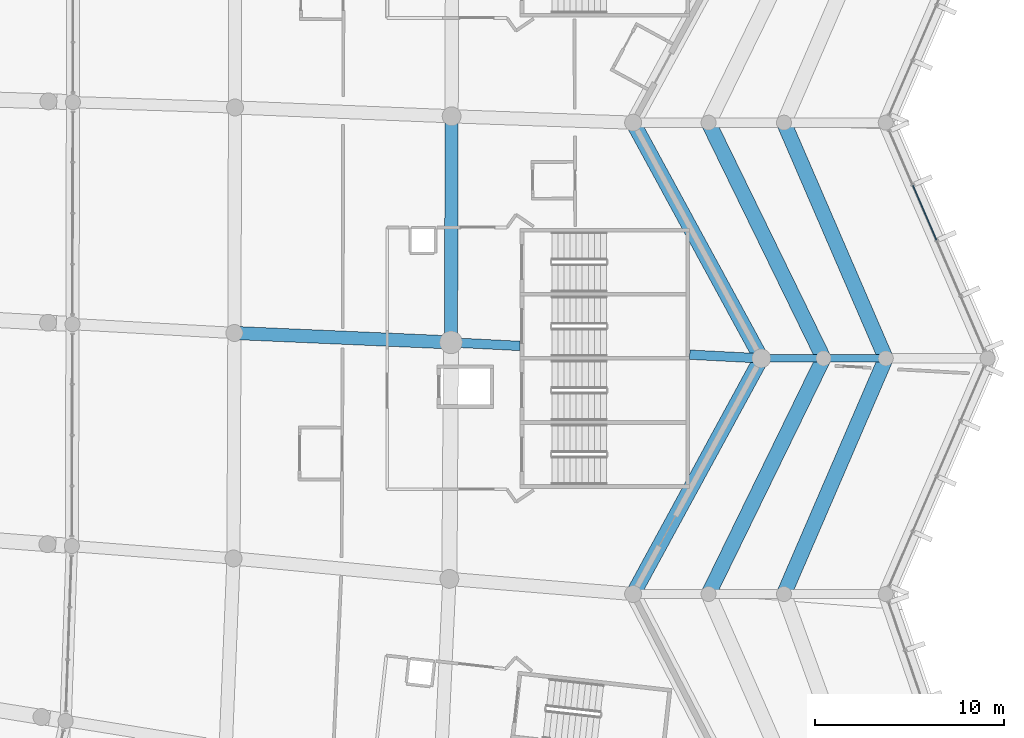
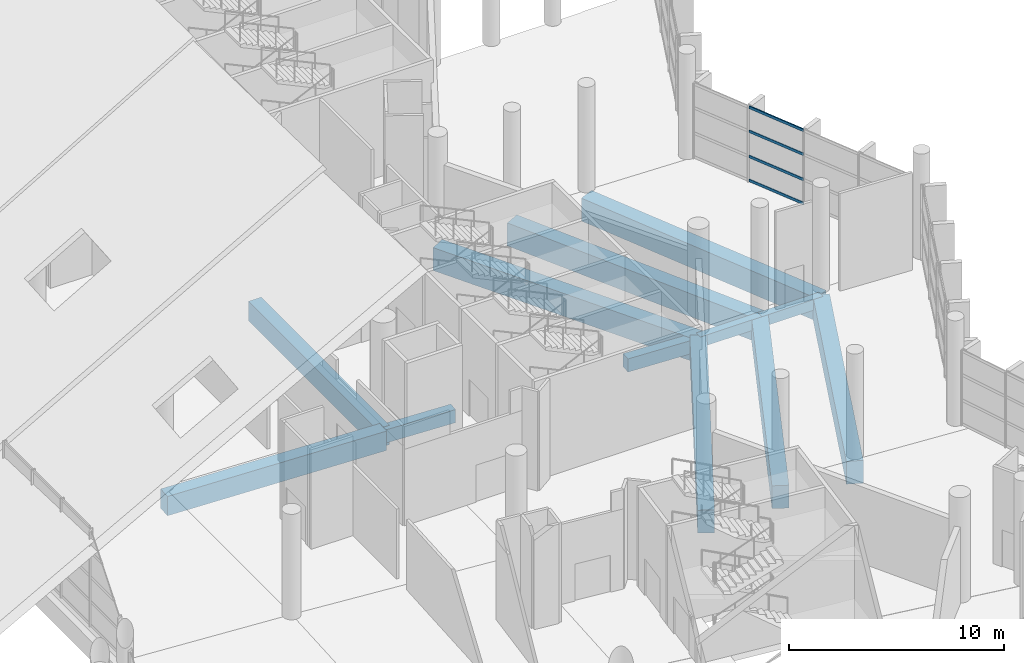
# One storey, part 46 of 249: 12 beams, 4 members, 1 element without a shape of its own.
"""IFC4 building model written with IfcOpenShell, lengths in metres."""

from ifc_helpers import new_model, si_unit, direction, frame, origin, origin_2d, place, context, subcontext, project, spatial, rectangle, extrude, material, layer, layer_set, material_profile, profile_set, type_object, element, aggregate, save


model = new_model("IFC4")

# Units and contexts
model_context = context("Model", 3, precision=1e-05, world=origin(), true_north=direction((0.0, 1.0)))
body_context = subcontext(model_context, "Body", "Model", "MODEL_VIEW")
ifc_project = project(units=[si_unit("LENGTHUNIT", "METRE"), si_unit("AREAUNIT", "SQUARE_METRE"), si_unit("VOLUMEUNIT", "CUBIC_METRE"), si_unit("PLANEANGLEUNIT", "RADIAN"), si_unit("MASSUNIT", "GRAM", prefix="KILO")], contexts=[model_context])

# Site, building, storey
site_placement = place(None, origin())
site = spatial("IfcSite", under=ifc_project, at=site_placement, CompositionType="ELEMENT")
building_placement = place(site_placement, origin())
building = spatial("IfcBuilding", under=site, at=building_placement, Name="Meseta Stadium", CompositionType="ELEMENT")
storey_placement = place(building_placement, frame((0.0, 0.0, 12.0)))
storey = spatial("IfcBuildingStorey", under=building, at=storey_placement, Name="L02", CompositionType="ELEMENT", Elevation=12.0)

# Beams
ifc_material_1 = material(Name="Concrete C40/50", Category="concrete")
ifc_material_profile_1 = material_profile(ifc_material_1, rectangle(XDim=0.39990234375, YDim=0.60009765625, at=origin_2d()), Name="RC 400x600")
ifc_profile_set_1 = profile_set([ifc_material_profile_1], Name="Concrete C40/50")
beam_type_1 = type_object("IfcBeamType", Name="RC beam 400x600", PredefinedType="BEAM", material=ifc_profile_set_1)
for number, where, z_axis, x_axis, name in (
    (1, (101.39990234375, -31.25, -0.64990234375), (1.0, 0.0, 0.0), (0.0, 1.0, 0.0), "L02 radial beam frame 2 line R to M"),
    (2, (104.699951171875, -31.25, -0.64990234375), (1.0, 0.0, 0.0), (0.0, 1.0, 0.0), "L02 radial beam frame 2 line M to Q"),
):
    element("IfcBeam", number, at=place(storey_placement, frame(where, z_axis=z_axis, x_axis=x_axis)), inside=storey, type_object=beam_type_1, Name=name, PredefinedType="BEAM", context=body_context, shape_type="SweptSolid", body=[
        extrude(rectangle(XDim=0.39990234375, YDim=0.60009765625, at=origin_2d()), origin(), (0.0, 0.0, 1.0), 3.300048828125),
    ])
ifc_material_2 = material(Name="Concrete C40/50", Category="concrete")
ifc_material_profile_2 = material_profile(ifc_material_2, rectangle(XDim=0.5, YDim=0.75, at=origin_2d()), Name="RC 500x750")
ifc_profile_set_2 = profile_set([ifc_material_profile_2], Name="Concrete C40/50")
beam_type_2 = type_object("IfcBeamType", Name="RC beam 500x750", PredefinedType="BEAM", material=ifc_profile_set_2)
beam_1_placement = place(storey_placement, frame((84.940673828125, -30.404052734375, -0.72509765625), z_axis=(0.998683115753, -0.051303355736, 0.0), x_axis=(0.051303355736, 0.998683115753, 0.0)))
element("IfcBeam", 3, at=beam_1_placement, inside=storey, type_object=beam_type_2, Name="L02 radial beam frame 2 line P to R", PredefinedType="BEAM", context=body_context, shape_type="SweptSolid", body=[
    extrude(rectangle(XDim=0.5, YDim=0.75, at=origin_2d()), origin(), (0.0, 0.0, 1.0), 3.664306640625),
])
beam_2_placement = place(storey_placement, frame((97.60009765625, -31.0546875, -0.72509765625), z_axis=(0.998681597522, -0.05133290144, 0.0), x_axis=(0.05133290144, 0.998681597522, 0.0)))
element("IfcBeam", 4, at=beam_2_placement, inside=storey, type_object=beam_type_2, Name="L02 radial beam frame 2 line P to R", PredefinedType="BEAM", context=body_context, shape_type="SweptSolid", body=[
    extrude(rectangle(XDim=0.5, YDim=0.75, at=origin_2d()), origin(), (0.0, 0.0, 1.0), 3.804931640625),
])
ifc_material_3 = material(Name="Concrete C40/50", Category="concrete")
ifc_material_profile_3 = material_profile(ifc_material_3, rectangle(XDim=0.699951171875, YDim=1.10009765625, at=origin_2d()), Name="RC 700x1100")
ifc_profile_set_3 = profile_set([ifc_material_profile_3], Name="Concrete C40/50")
beam_type_3 = type_object("IfcBeamType", Name="RC beam 700x1100", PredefinedType="BEAM", material=ifc_profile_set_3)
beam_3_placement = place(storey_placement, frame((84.940673828125, -30.404052734375, -0.89990234375), z_axis=(0.002707369213, 0.999996335069, 0.0), x_axis=(-0.999996335069, 0.002707369213, 0.0)))
element("IfcBeam", 5, at=beam_3_placement, inside=storey, type_object=beam_type_3, Name="L02 ring beam frame 2 line P", PredefinedType="BEAM", context=body_context, shape_type="SweptSolid", body=[
    extrude(rectangle(XDim=0.699951171875, YDim=1.10009765625, at=origin_2d()), origin(), (0.0, 0.0, 1.0), 11.993408203125),
])
beam_4_placement = place(storey_placement, frame((73.451416015625, -29.904052734375, -0.89990234375), z_axis=(0.999054395094, -0.04347776033, 0.0), x_axis=(0.04347776033, 0.999054395094, 0.0)))
element("IfcBeam", 6, at=beam_4_placement, inside=storey, type_object=beam_type_3, Name="L02 radial beam frame 2 line E to P", PredefinedType="BEAM", context=body_context, shape_type="SweptSolid", body=[
    extrude(rectangle(XDim=0.699951171875, YDim=1.10009765625, at=origin_2d()), origin(), (0.0, 0.0, 1.0), 11.500244140625),
])
ifc_material_4 = material(Name="Concrete C40/50", Category="concrete")
ifc_material_profile_4 = material_profile(ifc_material_4, rectangle(XDim=0.800048828125, YDim=1.300048828125, at=origin_2d()), Name="RC 800x1300")
ifc_profile_set_4 = profile_set([ifc_material_profile_4], Name="Concrete C40/50")
beam_type_4 = type_object("IfcBeamType", Name="RC beam 800x1300", PredefinedType="BEAM", material=ifc_profile_set_4)
for number, where, z_axis, x_axis, name in (
    (7, (94.60009765625, -43.75, -1.0), (0.47785649891, 0.878437912689, 0.0), (-0.878437912689, 0.47785649891, 0.0), "L02 ring beam frame 1 line R"),
    (8, (101.39990234375, -31.25, -1.0), (-0.47785649891, 0.878437912689, 0.0), (-0.878437912689, -0.47785649891, 0.0), "L02 ring beam frame 2 line R"),
):
    element("IfcBeam", number, at=place(storey_placement, frame(where, z_axis=z_axis, x_axis=x_axis)), inside=storey, type_object=beam_type_4, Name=name, PredefinedType="BEAM", context=body_context, shape_type="SweptSolid", body=[
        extrude(rectangle(XDim=0.800048828125, YDim=1.300048828125, at=origin_2d()), origin(), (0.0, 0.0, 1.0), 14.229736328125),
    ])
beam_5_placement = place(storey_placement, frame((98.60009765625, -43.75, -1.0), z_axis=(0.438556770405, 0.898703487882, 0.0), x_axis=(-0.898703487882, 0.438556770405, 0.0)))
element("IfcBeam", 9, at=beam_5_placement, inside=storey, type_object=beam_type_4, Name="L02 ring beam frame 1 line M", PredefinedType="BEAM", context=body_context, shape_type="SweptSolid", body=[
    extrude(rectangle(XDim=0.800048828125, YDim=1.300048828125, at=origin_2d()), origin(), (0.0, 0.0, 1.0), 13.908935546875),
])
beam_6_placement = place(storey_placement, frame((102.60009765625, -43.75, -1.0), z_axis=(0.396570645327, 0.918004206562, 0.0), x_axis=(-0.918004206562, 0.396570645327, 0.0)))
element("IfcBeam", 10, at=beam_6_placement, inside=storey, type_object=beam_type_4, Name="L02 ring beam frame 1 line Q", PredefinedType="BEAM", context=body_context, shape_type="SweptSolid", body=[
    extrude(rectangle(XDim=0.800048828125, YDim=1.300048828125, at=origin_2d()), origin(), (0.0, 0.0, 1.0), 13.616455078125),
])
beam_7_placement = place(storey_placement, frame((104.699951171875, -31.25, -1.0), z_axis=(-0.438556770405, 0.898703487882, 0.0), x_axis=(-0.898703487882, -0.438556770405, 0.0)))
element("IfcBeam", 11, at=beam_7_placement, inside=storey, type_object=beam_type_4, Name="L02 ring beam frame 2 line M", PredefinedType="BEAM", context=body_context, shape_type="SweptSolid", body=[
    extrude(rectangle(XDim=0.800048828125, YDim=1.300048828125, at=origin_2d()), origin(), (0.0, 0.0, 1.0), 13.908935546875),
])
beam_8_placement = place(storey_placement, frame((108.0, -31.25, -1.0), z_axis=(-0.396570645327, 0.918004206562, 0.0), x_axis=(-0.918004206562, -0.396570645327, 0.0)))
element("IfcBeam", 12, at=beam_8_placement, inside=storey, type_object=beam_type_4, Name="L02 ring beam frame 2 line Q", PredefinedType="BEAM", context=body_context, shape_type="SweptSolid", body=[
    extrude(rectangle(XDim=0.800048828125, YDim=1.300048828125, at=origin_2d()), origin(), (0.0, 0.0, 1.0), 13.616455078125),
])

# Curtain wall, members
ifc_material_5 = material(Name="Aluminium", Category="aluminium")
ifc_layer = layer(ifc_material_5, 0.199951171875)
ifc_layer_set = layer_set([ifc_layer], Name="Ring shopfront curtain wall")
curtain_wall_type = type_object("IfcCurtainWallType", Name="Ring shopfront curtain wall", PredefinedType="NOTDEFINED", material=ifc_layer_set)
curtain_wall_placement = place(storey_placement, origin())
curtain_wall = element("IfcCurtainWall", 13, at=curtain_wall_placement, inside=storey, type_object=curtain_wall_type, Name="Ring glazing L02 F02", PredefinedType="NOTDEFINED")
ifc_material_6 = material(Name="Aluminium", Category="aluminium")
ifc_material_profile_5 = material_profile(ifc_material_6, rectangle(XDim=0.06005859375, YDim=0.14990234375, at=origin_2d()), Name="CW 60x150")
ifc_profile_set_5 = profile_set([ifc_material_profile_5], Name="Aluminium")
member_type = type_object("IfcMemberType", Name="Ring CW transom 60x150", PredefinedType="USERDEFINED", material=ifc_profile_set_5)
member_1_placement = place(storey_placement, frame((110.68798828125, -24.972412109375, 0.074951171875), z_axis=(-0.396569883564, 0.918004535637, 0.0), x_axis=(-0.918004535637, -0.396569883564, 0.0)))
member_1 = element("IfcMember", 14, at=member_1_placement, type_object=member_type, Name="CWR1 transom 3.1", ObjectType="TRANSOM", PredefinedType="USERDEFINED", context=body_context, shape_type="SweptSolid", body=[
    extrude(rectangle(XDim=0.06005859375, YDim=0.14990234375, at=origin_2d()), origin(), (0.0, 0.0, 1.0), 3.14404296875),
])
member_2_placement = place(storey_placement, frame((110.68798828125, -24.972412109375, 1.433349609375), z_axis=(-0.396569883564, 0.918004535637, 0.0), x_axis=(-0.918004535637, -0.396569883564, 0.0)))
member_2 = element("IfcMember", 15, at=member_2_placement, type_object=member_type, Name="CWR1 transom 3.2", ObjectType="TRANSOM", PredefinedType="USERDEFINED", context=body_context, shape_type="SweptSolid", body=[
    extrude(rectangle(XDim=0.06005859375, YDim=0.14990234375, at=origin_2d()), origin(), (0.0, 0.0, 1.0), 3.14404296875),
])
member_3_placement = place(storey_placement, frame((110.68798828125, -24.972412109375, 2.86669921875), z_axis=(-0.396569883564, 0.918004535637, 0.0), x_axis=(-0.918004535637, -0.396569883564, 0.0)))
member_3 = element("IfcMember", 16, at=member_3_placement, type_object=member_type, Name="CWR1 transom 3.3", ObjectType="TRANSOM", PredefinedType="USERDEFINED", context=body_context, shape_type="SweptSolid", body=[
    extrude(rectangle(XDim=0.06005859375, YDim=0.14990234375, at=origin_2d()), origin(), (0.0, 0.0, 1.0), 3.14404296875),
])
member_4_placement = place(storey_placement, frame((110.68798828125, -24.972412109375, 4.22509765625), z_axis=(-0.396569883564, 0.918004535637, 0.0), x_axis=(-0.918004535637, -0.396569883564, 0.0)))
member_4 = element("IfcMember", 17, at=member_4_placement, type_object=member_type, Name="CWR1 transom 3.4", ObjectType="TRANSOM", PredefinedType="USERDEFINED", context=body_context, shape_type="SweptSolid", body=[
    extrude(rectangle(XDim=0.06005859375, YDim=0.14990234375, at=origin_2d()), origin(), (0.0, 0.0, 1.0), 3.14404296875),
])
aggregate(curtain_wall, [member_1, member_2, member_3, member_4])

save(model, "model.ifc")
